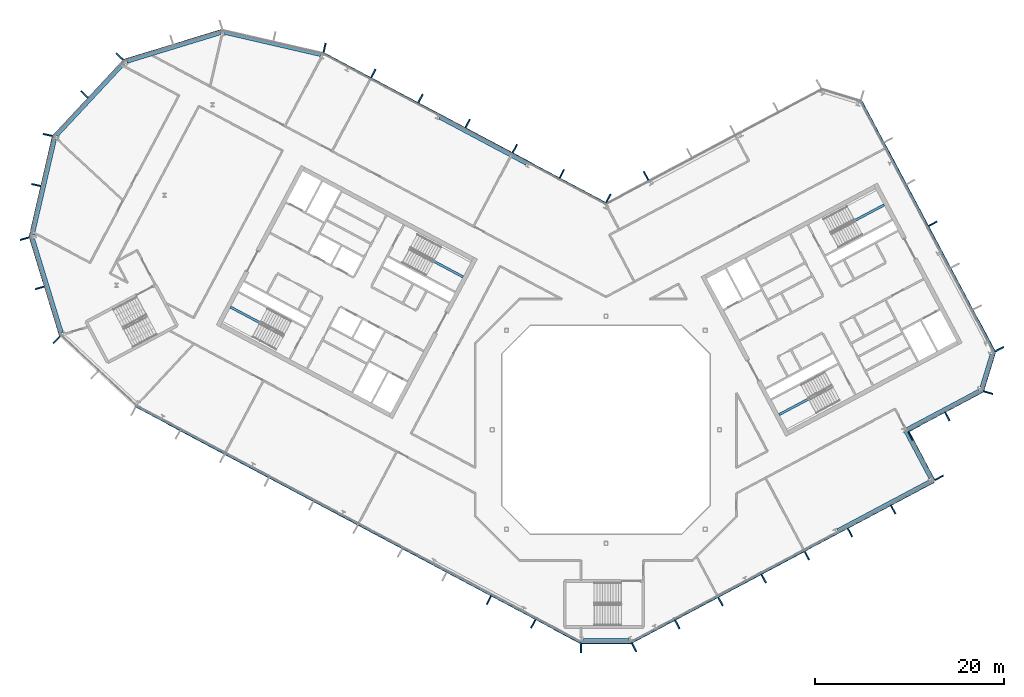
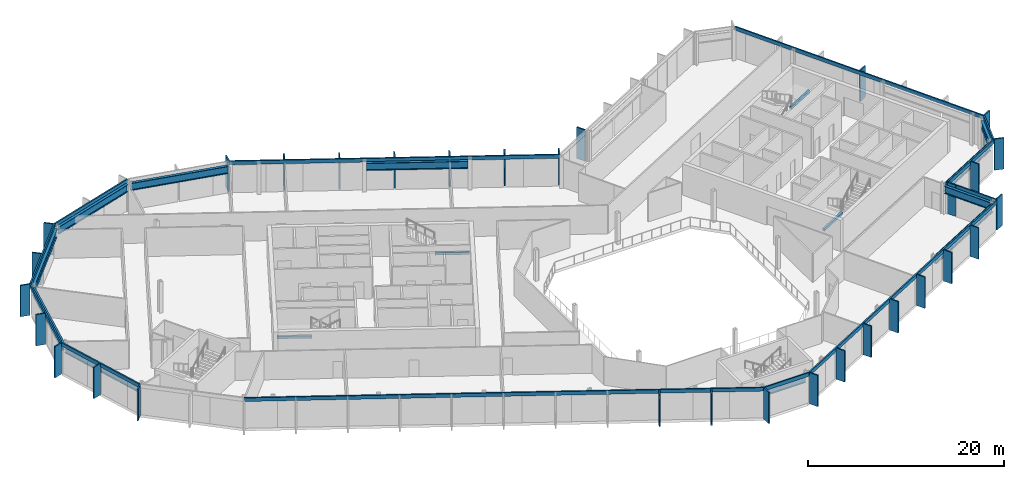
# One storey, part 9 of 25: 43 members, 15 beams, 15 elements without a shape of their own.
"""IFC4 building model written with IfcOpenShell, lengths in metres."""

from ifc_helpers import new_model, si_unit, direction, frame, origin, origin_2d, place, context, subcontext, project, spatial, rectangle, i_section, extrude, material, layer, layer_set, material_profile, profile_set, type_object, element, aggregate, save


model = new_model("IFC4")

# Units and contexts
model_context = context("Model", 3, precision=1e-05, world=origin(), true_north=direction((0.0, 1.0)))
body_context = subcontext(model_context, "Body", "Model", "MODEL_VIEW")
ifc_project = project(units=[si_unit("LENGTHUNIT", "METRE"), si_unit("AREAUNIT", "SQUARE_METRE"), si_unit("VOLUMEUNIT", "CUBIC_METRE"), si_unit("PLANEANGLEUNIT", "RADIAN"), si_unit("MASSUNIT", "GRAM", prefix="KILO")], contexts=[model_context])

# Site, building, storey
site_placement = place(None, origin())
site = spatial("IfcSite", under=ifc_project, at=site_placement, CompositionType="ELEMENT")
building_placement = place(site_placement, origin())
building = spatial("IfcBuilding", under=site, at=building_placement, Name="Cormorant Relay Tower", CompositionType="ELEMENT")
storey_placement = place(building_placement, frame((0.0, 0.0, 297.0)))
storey = spatial("IfcBuildingStorey", under=building, at=storey_placement, Name="L67", CompositionType="ELEMENT", Elevation=297.0)

# Curtain wall, member
ifc_material_1 = material(Name="Aluminium 6063-T6 anodised bronze", Category="aluminium")
ifc_layer = layer(ifc_material_1, 0.199951171875)
ifc_layer_set = layer_set([ifc_layer], Name="CW1 unitised bronze curtain wall with vertical fins")
curtain_wall_type = type_object("IfcCurtainWallType", Name="CW1 unitised bronze curtain wall with vertical fins", PredefinedType="NOTDEFINED", material=ifc_layer_set)
curtain_wall_1_placement = place(storey_placement, origin())
curtain_wall_1 = element("IfcCurtainWall", 1, at=curtain_wall_1_placement, inside=storey, type_object=curtain_wall_type, Name="CW1 curtain wall 1", PredefinedType="NOTDEFINED")
ifc_material_2 = material(Name="Aluminium 6063-T6 anodised bronze", Category="aluminium")
ifc_material_profile_1 = material_profile(ifc_material_2, rectangle(XDim=0.14990234375, YDim=1.0, at=origin_2d()), Name="AL 150x1000")
ifc_profile_set_1 = profile_set([ifc_material_profile_1], Name="Aluminium 6063-T6 anodised bronze")
member_type_1 = type_object("IfcMemberType", Name="CW1 bronze fin mullion 150 x 1000", PredefinedType="MULLION", material=ifc_profile_set_1)
member_1_placement = place(storey_placement, frame((-2.648681640625, -23.07568359375, 0.0), z_axis=(0.0, 0.0, 1.0), x_axis=(1.0, 0.0, 0.0)))
member_1 = element("IfcMember", 2, at=member_1_placement, type_object=member_type_1, Name="CW1 fin 1.1", PredefinedType="MULLION", context=body_context, shape_type="SweptSolid", body=[
    extrude(rectangle(XDim=0.14990234375, YDim=1.0, at=origin_2d()), origin(), (0.0, 0.0, 1.0), 3.89990234375),
])

# Curtain wall, members
curtain_wall_2_placement = place(storey_placement, origin())
curtain_wall_2 = element("IfcCurtainWall", 3, at=curtain_wall_2_placement, inside=storey, type_object=curtain_wall_type, Name="CW1 curtain wall 2", PredefinedType="NOTDEFINED")
member_2_placement = place(storey_placement, frame((2.9775390625, -22.99365234375, 0.0), z_axis=(0.0, 0.0, 1.0), x_axis=(0.882947592859, 0.469471562786, 0.0)))
member_2 = element("IfcMember", 4, at=member_2_placement, type_object=member_type_1, Name="CW1 fin 2.1", PredefinedType="MULLION", context=body_context, shape_type="SweptSolid", body=[
    extrude(rectangle(XDim=0.14990234375, YDim=1.0, at=origin_2d()), origin(), (0.0, 0.0, 1.0), 3.89990234375),
])
member_3_placement = place(storey_placement, frame((7.539306640625, -20.568115234375, 0.0), z_axis=(0.0, 0.0, 1.0), x_axis=(0.882947592859, 0.469471562786, 0.0)))
member_3 = element("IfcMember", 5, at=member_3_placement, type_object=member_type_1, Name="CW1 fin 2.2", PredefinedType="MULLION", context=body_context, shape_type="SweptSolid", body=[
    extrude(rectangle(XDim=0.14990234375, YDim=1.0, at=origin_2d()), origin(), (0.0, 0.0, 1.0), 3.89990234375),
])
member_4_placement = place(storey_placement, frame((12.10107421875, -18.142578125, 0.0), z_axis=(0.0, 0.0, 1.0), x_axis=(0.882947592859, 0.469471562786, 0.0)))
member_4 = element("IfcMember", 6, at=member_4_placement, type_object=member_type_1, Name="CW1 fin 2.3", PredefinedType="MULLION", context=body_context, shape_type="SweptSolid", body=[
    extrude(rectangle(XDim=0.14990234375, YDim=1.0, at=origin_2d()), origin(), (0.0, 0.0, 1.0), 3.89990234375),
])
member_5_placement = place(storey_placement, frame((16.662841796875, -15.717041015625, 0.0), z_axis=(0.0, 0.0, 1.0), x_axis=(0.882947592859, 0.469471562786, 0.0)))
member_5 = element("IfcMember", 7, at=member_5_placement, type_object=member_type_1, Name="CW1 fin 2.4", PredefinedType="MULLION", context=body_context, shape_type="SweptSolid", body=[
    extrude(rectangle(XDim=0.14990234375, YDim=1.0, at=origin_2d()), origin(), (0.0, 0.0, 1.0), 3.89990234375),
])
member_6_placement = place(storey_placement, frame((21.224609375, -13.29150390625, 0.0), z_axis=(0.0, 0.0, 1.0), x_axis=(0.882947592859, 0.469471562786, 0.0)))
member_6 = element("IfcMember", 8, at=member_6_placement, type_object=member_type_1, Name="CW1 fin 2.5", PredefinedType="MULLION", context=body_context, shape_type="SweptSolid", body=[
    extrude(rectangle(XDim=0.14990234375, YDim=1.0, at=origin_2d()), origin(), (0.0, 0.0, 1.0), 3.89990234375),
])
member_7_placement = place(storey_placement, frame((25.78662109375, -10.865966796875, 0.0), z_axis=(0.0, 0.0, 1.0), x_axis=(0.882947592859, 0.469471562786, 0.0)))
member_7 = element("IfcMember", 9, at=member_7_placement, type_object=member_type_1, Name="CW1 fin 2.6", PredefinedType="MULLION", context=body_context, shape_type="SweptSolid", body=[
    extrude(rectangle(XDim=0.14990234375, YDim=1.0, at=origin_2d()), origin(), (0.0, 0.0, 1.0), 3.89990234375),
])
member_8_placement = place(storey_placement, frame((30.348388671875, -8.440185546875, 0.0), z_axis=(0.0, 0.0, 1.0), x_axis=(0.882947592859, 0.469471562786, 0.0)))
member_8 = element("IfcMember", 10, at=member_8_placement, type_object=member_type_1, Name="CW1 fin 2.7", PredefinedType="MULLION", context=body_context, shape_type="SweptSolid", body=[
    extrude(rectangle(XDim=0.14990234375, YDim=1.0, at=origin_2d()), origin(), (0.0, 0.0, 1.0), 3.89990234375),
])

# Curtain wall, member
curtain_wall_3_placement = place(storey_placement, origin())
curtain_wall_3 = element("IfcCurtainWall", 11, at=curtain_wall_3_placement, inside=storey, type_object=curtain_wall_type, Name="CW1 curtain wall 3", PredefinedType="NOTDEFINED")
member_9_placement = place(storey_placement, frame((35.199462890625, -5.068115234375, 0.0), z_axis=(0.0, 0.0, 1.0), x_axis=(-0.469471562786, 0.882947592859, 0.0)))
member_9 = element("IfcMember", 12, at=member_9_placement, type_object=member_type_1, Name="CW1 fin 3.1", PredefinedType="MULLION", context=body_context, shape_type="SweptSolid", body=[
    extrude(rectangle(XDim=0.14990234375, YDim=1.0, at=origin_2d()), origin(), (0.0, 0.0, 1.0), 3.89990234375),
])

# Curtain wall, members
curtain_wall_4_placement = place(storey_placement, origin())
curtain_wall_4 = element("IfcCurtainWall", 13, at=curtain_wall_4_placement, inside=storey, type_object=curtain_wall_type, Name="CW1 curtain wall 4", PredefinedType="NOTDEFINED")
member_10_placement = place(storey_placement, frame((32.159423828125, -0.681884765625, 0.0), z_axis=(0.0, 0.0, 1.0), x_axis=(0.882947592859, 0.469471562786, 0.0)))
member_10 = element("IfcMember", 14, at=member_10_placement, type_object=member_type_1, Name="CW1 fin 4.1", PredefinedType="MULLION", context=body_context, shape_type="SweptSolid", body=[
    extrude(rectangle(XDim=0.14990234375, YDim=1.0, at=origin_2d()), origin(), (0.0, 0.0, 1.0), 3.89990234375),
])
member_11_placement = place(storey_placement, frame((36.06640625, 1.3955078125, 0.0), z_axis=(0.0, 0.0, 1.0), x_axis=(0.882947592859, 0.469471562786, 0.0)))
member_11 = element("IfcMember", 15, at=member_11_placement, type_object=member_type_1, Name="CW1 fin 4.2", PredefinedType="MULLION", context=body_context, shape_type="SweptSolid", body=[
    extrude(rectangle(XDim=0.14990234375, YDim=1.0, at=origin_2d()), origin(), (0.0, 0.0, 1.0), 3.89990234375),
])

# Curtain wall, member
curtain_wall_5_placement = place(storey_placement, origin())
curtain_wall_5 = element("IfcCurtainWall", 16, at=curtain_wall_5_placement, inside=storey, type_object=curtain_wall_type, Name="CW1 curtain wall 5", PredefinedType="NOTDEFINED")
member_12_placement = place(storey_placement, frame((40.380615234375, 3.921630859375, 0.0), z_axis=(0.0, 0.0, 1.0), x_axis=(0.292371704723, 0.956304755963, 0.0)))
member_12 = element("IfcMember", 17, at=member_12_placement, type_object=member_type_1, Name="CW1 fin 5.1", PredefinedType="MULLION", context=body_context, shape_type="SweptSolid", body=[
    extrude(rectangle(XDim=0.14990234375, YDim=1.0, at=origin_2d()), origin(), (0.0, 0.0, 1.0), 3.89990234375),
])

# Curtain wall, members
curtain_wall_6_placement = place(storey_placement, origin())
curtain_wall_6 = element("IfcCurtainWall", 18, at=curtain_wall_6_placement, inside=storey, type_object=curtain_wall_type, Name="CW1 curtain wall 6", PredefinedType="NOTDEFINED")
member_13_placement = place(storey_placement, frame((41.569580078125, 8.51220703125, 0.0), z_axis=(0.0, 0.0, 1.0), x_axis=(-0.469471562786, 0.882947592859, 0.0)))
member_13 = element("IfcMember", 19, at=member_13_placement, type_object=member_type_1, Name="CW1 fin 6.1", PredefinedType="MULLION", context=body_context, shape_type="SweptSolid", body=[
    extrude(rectangle(XDim=0.14990234375, YDim=1.0, at=origin_2d()), origin(), (0.0, 0.0, 1.0), 3.89990234375),
])
member_14_placement = place(storey_placement, frame((34.527587890625, 21.75634765625, 0.0), z_axis=(0.0, 0.0, 1.0), x_axis=(-0.469471562786, 0.882947592859, 0.0)))
member_14 = element("IfcMember", 20, at=member_14_placement, type_object=member_type_1, Name="CW1 fin 6.4", PredefinedType="MULLION", context=body_context, shape_type="SweptSolid", body=[
    extrude(rectangle(XDim=0.14990234375, YDim=1.0, at=origin_2d()), origin(), (0.0, 0.0, 1.0), 3.89990234375),
])

# Curtain wall, member
curtain_wall_7_placement = place(storey_placement, origin())
curtain_wall_7 = element("IfcCurtainWall", 21, at=curtain_wall_7_placement, inside=storey, type_object=curtain_wall_type, Name="CW1 curtain wall 8", PredefinedType="NOTDEFINED")
member_15_placement = place(storey_placement, frame((4.2333984375, 26.82763671875, 0.0), z_axis=(0.0, 0.0, 1.0), x_axis=(-0.882947592859, -0.469471562786, 0.0)))
member_15 = element("IfcMember", 22, at=member_15_placement, type_object=member_type_1, Name="CW1 fin 8.5", PredefinedType="MULLION", context=body_context, shape_type="SweptSolid", body=[
    extrude(rectangle(XDim=0.14990234375, YDim=1.0, at=origin_2d()), origin(), (0.0, 0.0, 1.0), 3.89990234375),
])
aggregate(curtain_wall_7, [member_15])

# Curtain wall, members
curtain_wall_8_placement = place(storey_placement, origin())
curtain_wall_8 = element("IfcCurtainWall", 23, at=curtain_wall_8_placement, inside=storey, type_object=curtain_wall_type, Name="CW1 curtain wall 9", PredefinedType="NOTDEFINED")
member_16_placement = place(storey_placement, frame((0.262451171875, 24.437255859375, 0.0), z_axis=(0.0, 0.0, 1.0), x_axis=(-0.882947592859, 0.469471562786, 0.0)))
member_16 = element("IfcMember", 24, at=member_16_placement, type_object=member_type_1, Name="CW1 fin 9.1", PredefinedType="MULLION", context=body_context, shape_type="SweptSolid", body=[
    extrude(rectangle(XDim=0.14990234375, YDim=1.0, at=origin_2d()), origin(), (0.0, 0.0, 1.0), 3.89990234375),
])
member_17_placement = place(storey_placement, frame((-4.650390625, 27.04931640625, 0.0), z_axis=(0.0, 0.0, 1.0), x_axis=(-0.882947592859, 0.469471562786, 0.0)))
member_17 = element("IfcMember", 25, at=member_17_placement, type_object=member_type_1, Name="CW1 fin 9.2", PredefinedType="MULLION", context=body_context, shape_type="SweptSolid", body=[
    extrude(rectangle(XDim=0.14990234375, YDim=1.0, at=origin_2d()), origin(), (0.0, 0.0, 1.0), 3.89990234375),
])
member_18_placement = place(storey_placement, frame((-9.62939453125, 29.69677734375, 0.0), z_axis=(0.0, 0.0, 1.0), x_axis=(-0.882947592859, 0.469471562786, 0.0)))
member_18 = element("IfcMember", 26, at=member_18_placement, type_object=member_type_1, Name="CW1 fin 9.3", PredefinedType="MULLION", context=body_context, shape_type="SweptSolid", body=[
    extrude(rectangle(XDim=0.14990234375, YDim=1.0, at=origin_2d()), origin(), (0.0, 0.0, 1.0), 3.89990234375),
])
member_19_placement = place(storey_placement, frame((-14.608154296875, 32.343994140625, 0.0), z_axis=(0.0, 0.0, 1.0), x_axis=(-0.882947592859, 0.469471562786, 0.0)))
member_19 = element("IfcMember", 27, at=member_19_placement, type_object=member_type_1, Name="CW1 fin 9.4", PredefinedType="MULLION", context=body_context, shape_type="SweptSolid", body=[
    extrude(rectangle(XDim=0.14990234375, YDim=1.0, at=origin_2d()), origin(), (0.0, 0.0, 1.0), 3.89990234375),
])
member_20_placement = place(storey_placement, frame((-19.587158203125, 34.991455078125, 0.0), z_axis=(0.0, 0.0, 1.0), x_axis=(-0.882947592859, 0.469471562786, 0.0)))
member_20 = element("IfcMember", 28, at=member_20_placement, type_object=member_type_1, Name="CW1 fin 9.5", PredefinedType="MULLION", context=body_context, shape_type="SweptSolid", body=[
    extrude(rectangle(XDim=0.14990234375, YDim=1.0, at=origin_2d()), origin(), (0.0, 0.0, 1.0), 3.89990234375),
])
member_21_placement = place(storey_placement, frame((-24.566162109375, 37.638916015625, 0.0), z_axis=(0.0, 0.0, 1.0), x_axis=(-0.882947592859, 0.469471562786, 0.0)))
member_21 = element("IfcMember", 29, at=member_21_placement, type_object=member_type_1, Name="CW1 fin 9.6", PredefinedType="MULLION", context=body_context, shape_type="SweptSolid", body=[
    extrude(rectangle(XDim=0.14990234375, YDim=1.0, at=origin_2d()), origin(), (0.0, 0.0, 1.0), 3.89990234375),
])

# Curtain wall, member
curtain_wall_9_placement = place(storey_placement, origin())
curtain_wall_9 = element("IfcCurtainWall", 30, at=curtain_wall_9_placement, inside=storey, type_object=curtain_wall_type, Name="CW1 curtain wall 10", PredefinedType="NOTDEFINED")
member_22_placement = place(storey_placement, frame((-29.71630859375, 40.35009765625, 0.0), z_axis=(0.0, 0.0, 1.0), x_axis=(-0.974370064785, 0.224951054344, 0.0)))
member_22 = element("IfcMember", 31, at=member_22_placement, type_object=member_type_1, Name="CW1 fin 10.1", PredefinedType="MULLION", context=body_context, shape_type="SweptSolid", body=[
    extrude(rectangle(XDim=0.14990234375, YDim=1.0, at=origin_2d()), origin(), (0.0, 0.0, 1.0), 3.89990234375),
])
aggregate(curtain_wall_9, [member_22])

# Curtain wall, members
curtain_wall_10_placement = place(storey_placement, origin())
curtain_wall_10 = element("IfcCurtainWall", 32, at=curtain_wall_10_placement, inside=storey, type_object=curtain_wall_type, Name="CW1 curtain wall 12", PredefinedType="NOTDEFINED")
member_23_placement = place(storey_placement, frame((-51.372802734375, 39.41259765625, 0.0), z_axis=(0.0, 0.0, 1.0), x_axis=(-0.681998360062, -0.731353701619, 0.0)))
member_23 = element("IfcMember", 33, at=member_23_placement, type_object=member_type_1, Name="CW1 fin 12.1", PredefinedType="MULLION", context=body_context, shape_type="SweptSolid", body=[
    extrude(rectangle(XDim=0.14990234375, YDim=1.0, at=origin_2d()), origin(), (0.0, 0.0, 1.0), 3.89990234375),
])
member_24_placement = place(storey_placement, frame((-55.07958984375, 35.4375, 0.0), z_axis=(0.0, 0.0, 1.0), x_axis=(-0.681998360062, -0.731353701619, 0.0)))
member_24 = element("IfcMember", 34, at=member_24_placement, type_object=member_type_1, Name="CW1 fin 12.2", PredefinedType="MULLION", context=body_context, shape_type="SweptSolid", body=[
    extrude(rectangle(XDim=0.14990234375, YDim=1.0, at=origin_2d()), origin(), (0.0, 0.0, 1.0), 3.89990234375),
])

curtain_wall_11_placement = place(storey_placement, origin())
curtain_wall_11 = element("IfcCurtainWall", 35, at=curtain_wall_11_placement, inside=storey, type_object=curtain_wall_type, Name="CW1 curtain wall 13", PredefinedType="NOTDEFINED")
member_25_placement = place(storey_placement, frame((-58.95654296875, 31.142578125, 0.0), z_axis=(0.0, 0.0, 1.0), x_axis=(-0.224951054344, -0.974370064785, 0.0)))
member_25 = element("IfcMember", 36, at=member_25_placement, type_object=member_type_1, Name="CW1 fin 13.1", PredefinedType="MULLION", context=body_context, shape_type="SweptSolid", body=[
    extrude(rectangle(XDim=0.14990234375, YDim=1.0, at=origin_2d()), origin(), (0.0, 0.0, 1.0), 3.89990234375),
])
member_26_placement = place(storey_placement, frame((-60.17919921875, 25.8466796875, 0.0), z_axis=(0.0, 0.0, 1.0), x_axis=(-0.224951054344, -0.974370064785, 0.0)))
member_26 = element("IfcMember", 37, at=member_26_placement, type_object=member_type_1, Name="CW1 fin 13.2", PredefinedType="MULLION", context=body_context, shape_type="SweptSolid", body=[
    extrude(rectangle(XDim=0.14990234375, YDim=1.0, at=origin_2d()), origin(), (0.0, 0.0, 1.0), 3.89990234375),
])

curtain_wall_12_placement = place(storey_placement, origin())
curtain_wall_12 = element("IfcCurtainWall", 38, at=curtain_wall_12_placement, inside=storey, type_object=curtain_wall_type, Name="CW1 curtain wall 14", PredefinedType="NOTDEFINED")
member_27_placement = place(storey_placement, frame((-61.389404296875, 20.188720703125, 0.0), z_axis=(0.0, 0.0, 1.0), x_axis=(0.292371704723, -0.956304755963, 0.0)))
member_27 = element("IfcMember", 39, at=member_27_placement, type_object=member_type_1, Name="CW1 fin 14.1", PredefinedType="MULLION", context=body_context, shape_type="SweptSolid", body=[
    extrude(rectangle(XDim=0.14990234375, YDim=1.0, at=origin_2d()), origin(), (0.0, 0.0, 1.0), 3.89990234375),
])
member_28_placement = place(storey_placement, frame((-59.80029296875, 14.990966796875, 0.0), z_axis=(0.0, 0.0, 1.0), x_axis=(0.292371704723, -0.956304755963, 0.0)))
member_28 = element("IfcMember", 40, at=member_28_placement, type_object=member_type_1, Name="CW1 fin 14.2", PredefinedType="MULLION", context=body_context, shape_type="SweptSolid", body=[
    extrude(rectangle(XDim=0.14990234375, YDim=1.0, at=origin_2d()), origin(), (0.0, 0.0, 1.0), 3.89990234375),
])

# Curtain wall, member
curtain_wall_13_placement = place(storey_placement, origin())
curtain_wall_13 = element("IfcCurtainWall", 41, at=curtain_wall_13_placement, inside=storey, type_object=curtain_wall_type, Name="CW1 curtain wall 15", PredefinedType="NOTDEFINED")
member_29_placement = place(storey_placement, frame((-58.01904296875, 9.486083984375, 0.0), z_axis=(0.0, 0.0, 1.0), x_axis=(0.731353701619, -0.681998360062, 0.0)))
member_29 = element("IfcMember", 42, at=member_29_placement, type_object=member_type_1, Name="CW1 fin 15.1", PredefinedType="MULLION", context=body_context, shape_type="SweptSolid", body=[
    extrude(rectangle(XDim=0.14990234375, YDim=1.0, at=origin_2d()), origin(), (0.0, 0.0, 1.0), 3.89990234375),
])
aggregate(curtain_wall_13, [member_29])

# Curtain wall, members
curtain_wall_14_placement = place(storey_placement, origin())
curtain_wall_14 = element("IfcCurtainWall", 43, at=curtain_wall_14_placement, inside=storey, type_object=curtain_wall_type, Name="CW1 curtain wall 16", PredefinedType="NOTDEFINED")
member_30_placement = place(storey_placement, frame((-12.365966796875, -18.001708984375, 0.0), z_axis=(0.0, 0.0, 1.0), x_axis=(0.882947592859, -0.469471562786, 0.0)))
member_30 = element("IfcMember", 44, at=member_30_placement, type_object=member_type_1, Name="CW1 fin 16.9", PredefinedType="MULLION", context=body_context, shape_type="SweptSolid", body=[
    extrude(rectangle(XDim=0.14990234375, YDim=1.0, at=origin_2d()), origin(), (0.0, 0.0, 1.0), 3.89990234375),
])
member_31_placement = place(storey_placement, frame((-7.671630859375, -20.49755859375, 0.0), z_axis=(0.0, 0.0, 1.0), x_axis=(0.882947592859, -0.469471562786, 0.0)))
member_31 = element("IfcMember", 45, at=member_31_placement, type_object=member_type_1, Name="CW1 fin 16.10", PredefinedType="MULLION", context=body_context, shape_type="SweptSolid", body=[
    extrude(rectangle(XDim=0.14990234375, YDim=1.0, at=origin_2d()), origin(), (0.0, 0.0, 1.0), 3.89990234375),
])

# Member
ifc_material_3 = material(Name="Aluminium 6063-T6 anodised bronze", Category="aluminium")
ifc_material_profile_2 = material_profile(ifc_material_3, rectangle(XDim=0.159912109375, YDim=0.449951171875, at=origin_2d()), Name="AL 160x450")
ifc_profile_set_2 = profile_set([ifc_material_profile_2], Name="Aluminium 6063-T6 anodised bronze")
member_type_2 = type_object("IfcMemberType", Name="CW1 bronze transom 160 x 450", PredefinedType="USERDEFINED", material=ifc_profile_set_2)
member_32_placement = place(storey_placement, frame((-2.648681640625, -22.49560546875, 3.675048828125), z_axis=(1.0, 0.0, 0.0), x_axis=(0.0, 1.0, 0.0)))
member_32 = element("IfcMember", 46, at=member_32_placement, type_object=member_type_2, Name="CW1 transom 1", ObjectType="TRANSOM", PredefinedType="USERDEFINED", context=body_context, shape_type="SweptSolid", body=[
    extrude(rectangle(XDim=0.159912109375, YDim=0.449951171875, at=origin_2d()), origin(), (0.0, 0.0, 1.0), 5.29736328125),
])

aggregate(curtain_wall_1, [member_1, member_32])

member_33_placement = place(storey_placement, frame((2.705078125, -22.4814453125, 3.675048828125), z_axis=(0.882948899141, 0.469469106018, 0.0), x_axis=(-0.469469106018, 0.882948899141, 0.0)))
member_33 = element("IfcMember", 47, at=member_33_placement, type_object=member_type_2, Name="CW1 transom 2", ObjectType="TRANSOM", PredefinedType="USERDEFINED", context=body_context, shape_type="SweptSolid", body=[
    extrude(rectangle(XDim=0.159912109375, YDim=0.449951171875, at=origin_2d()), origin(), (0.0, 0.0, 1.0), 36.165771484375),
])

aggregate(curtain_wall_2, [member_2, member_3, member_4, member_5, member_6, member_7, member_8, member_33])

member_34_placement = place(storey_placement, frame((34.6875, -5.34033203125, 3.675048828125), z_axis=(-0.469485426614, 0.882940221191, 0.0), x_axis=(-0.882940221191, -0.469485426614, 0.0)))
member_34 = element("IfcMember", 48, at=member_34_placement, type_object=member_type_2, Name="CW1 transom 3", ObjectType="TRANSOM", PredefinedType="USERDEFINED", context=body_context, shape_type="SweptSolid", body=[
    extrude(rectangle(XDim=0.159912109375, YDim=0.449951171875, at=origin_2d()), origin(), (0.0, 0.0, 1.0), 6.0),
])

aggregate(curtain_wall_3, [member_9, member_34])

member_35_placement = place(storey_placement, frame((31.82080078125, -0.205078125, 3.675048828125), z_axis=(0.882949189538, 0.469468559857, 0.0), x_axis=(-0.469468559857, 0.882949189538, 0.0)))
member_35 = element("IfcMember", 49, at=member_35_placement, type_object=member_type_2, Name="CW1 transom 4", ObjectType="TRANSOM", PredefinedType="USERDEFINED", context=body_context, shape_type="SweptSolid", body=[
    extrude(rectangle(XDim=0.159912109375, YDim=0.449951171875, at=origin_2d()), origin(), (0.0, 0.0, 1.0), 9.000244140625),
])

aggregate(curtain_wall_4, [member_10, member_11, member_35])

member_36_placement = place(storey_placement, frame((39.825927734375, 4.091064453125, 3.675048828125), z_axis=(0.292374957137, 0.956303761594, 0.0), x_axis=(-0.956303761594, 0.292374957137, 0.0)))
member_36 = element("IfcMember", 50, at=member_36_placement, type_object=member_type_2, Name="CW1 transom 5", ObjectType="TRANSOM", PredefinedType="USERDEFINED", context=body_context, shape_type="SweptSolid", body=[
    extrude(rectangle(XDim=0.159912109375, YDim=0.449951171875, at=origin_2d()), origin(), (0.0, 0.0, 1.0), 4.24267578125),
])

aggregate(curtain_wall_5, [member_12, member_36])

member_37_placement = place(storey_placement, frame((41.0576171875, 8.23974609375, 3.675048828125), z_axis=(-0.469472335483, 0.882947182008, 0.0), x_axis=(-0.882947182008, -0.469472335483, 0.0)))
member_37 = element("IfcMember", 51, at=member_37_placement, type_object=member_type_2, Name="CW1 transom 6", ObjectType="TRANSOM", PredefinedType="USERDEFINED", context=body_context, shape_type="SweptSolid", body=[
    extrude(rectangle(XDim=0.159912109375, YDim=0.449951171875, at=origin_2d()), origin(), (0.0, 0.0, 1.0), 30.000244140625),
])

aggregate(curtain_wall_6, [member_13, member_14, member_37])

member_38_placement = place(storey_placement, frame((0.056396484375, 23.889892578125, 3.675048828125), z_axis=(-0.882946280328, 0.46947403129, 0.0), x_axis=(-0.46947403129, -0.882946280328, 0.0)))
member_38 = element("IfcMember", 52, at=member_38_placement, type_object=member_type_2, Name="CW1 transom 9", ObjectType="TRANSOM", PredefinedType="USERDEFINED", context=body_context, shape_type="SweptSolid", body=[
    extrude(rectangle(XDim=0.159912109375, YDim=0.449951171875, at=origin_2d()), origin(), (0.0, 0.0, 1.0), 33.834228515625),
])

aggregate(curtain_wall_8, [member_16, member_17, member_18, member_19, member_20, member_21, member_38])

# Curtain wall, member
curtain_wall_15_placement = place(storey_placement, origin())
curtain_wall_15 = element("IfcCurtainWall", 53, at=curtain_wall_15_placement, inside=storey, type_object=curtain_wall_type, Name="CW1 curtain wall 11", PredefinedType="NOTDEFINED")
member_39_placement = place(storey_placement, frame((-40.50048828125, 42.228271484375, 3.675048828125), z_axis=(-0.956304833932, -0.292371449698, 0.0), x_axis=(0.292371449698, -0.956304833932, 0.0)))
member_39 = element("IfcMember", 54, at=member_39_placement, type_object=member_type_2, Name="CW1 transom 11", ObjectType="TRANSOM", PredefinedType="USERDEFINED", context=body_context, shape_type="SweptSolid", body=[
    extrude(rectangle(XDim=0.159912109375, YDim=0.449951171875, at=origin_2d()), origin(), (0.0, 0.0, 1.0), 10.87060546875),
])
aggregate(curtain_wall_15, [member_39])

# Member
member_40_placement = place(storey_placement, frame((-50.94873046875, 39.01708984375, 3.675048828125), z_axis=(-0.681993299437, -0.731358420696, 0.0), x_axis=(0.731358420696, -0.681993299437, 0.0)))
member_40 = element("IfcMember", 55, at=member_40_placement, type_object=member_type_2, Name="CW1 transom 12", ObjectType="TRANSOM", PredefinedType="USERDEFINED", context=body_context, shape_type="SweptSolid", body=[
    extrude(rectangle(XDim=0.159912109375, YDim=0.449951171875, at=origin_2d()), origin(), (0.0, 0.0, 1.0), 10.870361328125),
])

aggregate(curtain_wall_10, [member_23, member_24, member_40])

member_41_placement = place(storey_placement, frame((-58.3916015625, 31.01220703125, 3.675048828125), z_axis=(-0.22495136131, -0.974369993916, 0.0), x_axis=(0.974369993916, -0.22495136131, 0.0)))
member_41 = element("IfcMember", 56, at=member_41_placement, type_object=member_type_2, Name="CW1 transom 13", ObjectType="TRANSOM", PredefinedType="USERDEFINED", context=body_context, shape_type="SweptSolid", body=[
    extrude(rectangle(XDim=0.159912109375, YDim=0.449951171875, at=origin_2d()), origin(), (0.0, 0.0, 1.0), 10.870361328125),
])

aggregate(curtain_wall_11, [member_25, member_26, member_41])

member_42_placement = place(storey_placement, frame((-60.834716796875, 20.358154296875, 3.675048828125), z_axis=(0.292377729282, -0.95630291405, 0.0), x_axis=(0.95630291405, 0.292377729282, 0.0)))
member_42 = element("IfcMember", 57, at=member_42_placement, type_object=member_type_2, Name="CW1 transom 14", ObjectType="TRANSOM", PredefinedType="USERDEFINED", context=body_context, shape_type="SweptSolid", body=[
    extrude(rectangle(XDim=0.159912109375, YDim=0.449951171875, at=origin_2d()), origin(), (0.0, 0.0, 1.0), 10.870361328125),
])

aggregate(curtain_wall_12, [member_27, member_28, member_42])

member_43_placement = place(storey_placement, frame((-49.64794921875, 2.478515625, 3.675048828125), z_axis=(0.882947642542, -0.469471469346, 0.0), x_axis=(0.469471469346, 0.882947642542, 0.0)))
member_43 = element("IfcMember", 58, at=member_43_placement, type_object=member_type_2, Name="CW1 transom 16", ObjectType="TRANSOM", PredefinedType="USERDEFINED", context=body_context, shape_type="SweptSolid", body=[
    extrude(rectangle(XDim=0.159912109375, YDim=0.449951171875, at=origin_2d()), origin(), (0.0, 0.0, 1.0), 53.166015625),
])

aggregate(curtain_wall_14, [member_30, member_31, member_43])

# Beams
ifc_material_4 = material(Name="Steel ASTM A992 (Fy 345 MPa)", Category="steel")
ifc_material_profile_3 = material_profile(ifc_material_4, i_section(OverallWidth=0.307373046875, OverallDepth=0.927001953125, WebThickness=0.019287109375, FlangeThickness=0.031982421875, FilletRadius=0.01904296875, at=origin_2d()), Name="W920x289")
ifc_profile_set_3 = profile_set([ifc_material_profile_3], Name="Steel ASTM A992 (Fy 345 MPa)")
beam_type_1 = type_object("IfcBeamType", Name="Spandrel W920x289", PredefinedType="SPANDREL", material=ifc_profile_set_3)
beam_1_placement = place(storey_placement, frame((-2.377197265625, -22.221923828125, 3.076416015625), z_axis=(1.0, 0.0, 0.0), x_axis=(0.0, 1.0, 0.0)))
element("IfcBeam", 59, at=beam_1_placement, inside=storey, type_object=beam_type_1, Name="Spandrel beam L67-001", PredefinedType="SPANDREL", context=body_context, shape_type="SweptSolid", body=[
    extrude(i_section(OverallWidth=0.307373046875, OverallDepth=0.927001953125, WebThickness=0.019287109375, FlangeThickness=0.031982421875, FilletRadius=0.01904296875, at=origin_2d()), origin(), (0.0, 0.0, 1.0), 4.79541015625),
])
beam_2_placement = place(storey_placement, frame((24.44287109375, -10.61328125, 3.076416015625), z_axis=(0.882957797597, 0.469452369961, 0.0), x_axis=(-0.469452369961, 0.882957797597, 0.0)))
element("IfcBeam", 60, at=beam_2_placement, inside=storey, type_object=beam_type_1, Name="Spandrel beam L67-002", PredefinedType="SPANDREL", context=body_context, shape_type="SweptSolid", body=[
    extrude(i_section(OverallWidth=0.307373046875, OverallDepth=0.927001953125, WebThickness=0.019287109375, FlangeThickness=0.031982421875, FilletRadius=0.01904296875, at=origin_2d()), origin(), (0.0, 0.0, 1.0), 10.992431640625),
])
beam_3_placement = place(storey_placement, frame((34.254638671875, -5.109619140625, 3.076416015625), z_axis=(-0.469457325339, 0.882955162897, 0.0), x_axis=(-0.882955162897, -0.469457325339, 0.0)))
element("IfcBeam", 61, at=beam_3_placement, inside=storey, type_object=beam_type_1, Name="Spandrel beam L67-003", PredefinedType="SPANDREL", context=body_context, shape_type="SweptSolid", body=[
    extrude(i_section(OverallWidth=0.307373046875, OverallDepth=0.927001953125, WebThickness=0.019287109375, FlangeThickness=0.031982421875, FilletRadius=0.01904296875, at=origin_2d()), origin(), (0.0, 0.0, 1.0), 5.593017578125),
])
beam_4_placement = place(storey_placement, frame((31.6923828125, 0.03662109375, 3.076416015625), z_axis=(0.882943393008, 0.469479461472, 0.0), x_axis=(-0.469479461472, 0.882943393008, 0.0)))
element("IfcBeam", 62, at=beam_4_placement, inside=storey, type_object=beam_type_1, Name="Spandrel beam L67-004", PredefinedType="SPANDREL", context=body_context, shape_type="SweptSolid", body=[
    extrude(i_section(OverallWidth=0.307373046875, OverallDepth=0.927001953125, WebThickness=0.019287109375, FlangeThickness=0.031982421875, FilletRadius=0.01904296875, at=origin_2d()), origin(), (0.0, 0.0, 1.0), 8.734375),
])
beam_5_placement = place(storey_placement, frame((39.6591796875, 4.4814453125, 3.076416015625), z_axis=(0.292323829151, 0.956319391684, 0.0), x_axis=(-0.956319391684, 0.292323829151, 0.0)))
element("IfcBeam", 63, at=beam_5_placement, inside=storey, type_object=beam_type_1, Name="Spandrel beam L67-005", PredefinedType="SPANDREL", context=body_context, shape_type="SweptSolid", body=[
    extrude(i_section(OverallWidth=0.307373046875, OverallDepth=0.927001953125, WebThickness=0.019287109375, FlangeThickness=0.031982421875, FilletRadius=0.01904296875, at=origin_2d()), origin(), (0.0, 0.0, 1.0), 3.652099609375),
])
beam_6_placement = place(storey_placement, frame((-8.401611328125, 28.0771484375, 3.076416015625), z_axis=(-0.882945471565, 0.469475552338, 0.0), x_axis=(-0.469475552338, -0.882945471565, 0.0)))
element("IfcBeam", 64, at=beam_6_placement, inside=storey, type_object=beam_type_1, Name="Spandrel beam L67-009", PredefinedType="SPANDREL", context=body_context, shape_type="SweptSolid", body=[
    extrude(i_section(OverallWidth=0.307373046875, OverallDepth=0.927001953125, WebThickness=0.019287109375, FlangeThickness=0.031982421875, FilletRadius=0.01904296875, at=origin_2d()), origin(), (0.0, 0.0, 1.0), 10.401123046875),
])
beam_7_placement = place(storey_placement, frame((-30.138427734375, 39.571533203125, 3.076416015625), z_axis=(-0.97437021882, 0.224950387145, 0.0), x_axis=(-0.224950387145, -0.97437021882, 0.0)))
element("IfcBeam", 65, at=beam_7_placement, inside=storey, type_object=beam_type_1, Name="Spandrel beam L67-010", PredefinedType="SPANDREL", context=body_context, shape_type="SweptSolid", body=[
    extrude(i_section(OverallWidth=0.307373046875, OverallDepth=0.927001953125, WebThickness=0.019287109375, FlangeThickness=0.031982421875, FilletRadius=0.01904296875, at=origin_2d()), origin(), (0.0, 0.0, 1.0), 10.3984375),
])
beam_8_placement = place(storey_placement, frame((-40.68505859375, 41.8857421875, 3.076416015625), z_axis=(-0.956304903575, -0.292371221906, 0.0), x_axis=(0.292371221906, -0.956304903575, 0.0)))
element("IfcBeam", 66, at=beam_8_placement, inside=storey, type_object=beam_type_1, Name="Spandrel beam L67-011", PredefinedType="SPANDREL", context=body_context, shape_type="SweptSolid", body=[
    extrude(i_section(OverallWidth=0.307373046875, OverallDepth=0.927001953125, WebThickness=0.019287109375, FlangeThickness=0.031982421875, FilletRadius=0.01904296875, at=origin_2d()), origin(), (0.0, 0.0, 1.0), 10.358642578125),
])
beam_9_placement = place(storey_placement, frame((-50.9375, 38.627685546875, 3.076416015625), z_axis=(-0.682009982741, -0.731342863124, 0.0), x_axis=(0.731342863124, -0.682009982741, 0.0)))
element("IfcBeam", 67, at=beam_9_placement, inside=storey, type_object=beam_type_1, Name="Spandrel beam L67-012", PredefinedType="SPANDREL", context=body_context, shape_type="SweptSolid", body=[
    extrude(i_section(OverallWidth=0.307373046875, OverallDepth=0.927001953125, WebThickness=0.019287109375, FlangeThickness=0.031982421875, FilletRadius=0.01904296875, at=origin_2d()), origin(), (0.0, 0.0, 1.0), 10.35791015625),
])
beam_10_placement = place(storey_placement, frame((-58.18701171875, 30.680908203125, 3.076416015625), z_axis=(-0.224955895786, -0.974368947038, 0.0), x_axis=(0.974368947038, -0.224955895786, 0.0)))
element("IfcBeam", 68, at=beam_10_placement, inside=storey, type_object=beam_type_1, Name="Spandrel beam L67-013", PredefinedType="SPANDREL", context=body_context, shape_type="SweptSolid", body=[
    extrude(i_section(OverallWidth=0.307373046875, OverallDepth=0.927001953125, WebThickness=0.019287109375, FlangeThickness=0.031982421875, FilletRadius=0.01904296875, at=origin_2d()), origin(), (0.0, 0.0, 1.0), 10.359130859375),
])
beam_11_placement = place(storey_placement, frame((-60.49169921875, 20.1728515625, 3.076416015625), z_axis=(0.292367651593, -0.95630599512, 0.0), x_axis=(0.95630599512, 0.292367651593, 0.0)))
element("IfcBeam", 69, at=beam_11_placement, inside=storey, type_object=beam_type_1, Name="Spandrel beam L67-014", PredefinedType="SPANDREL", context=body_context, shape_type="SweptSolid", body=[
    extrude(i_section(OverallWidth=0.307373046875, OverallDepth=0.927001953125, WebThickness=0.019287109375, FlangeThickness=0.031982421875, FilletRadius=0.01904296875, at=origin_2d()), origin(), (0.0, 0.0, 1.0), 10.357177734375),
])
ifc_material_5 = material(Name="Concrete 50 MPa", Category="concrete")
ifc_material_profile_4 = material_profile(ifc_material_5, rectangle(XDim=0.25, YDim=0.300048828125, at=origin_2d()), Name="RC 250x300")
ifc_profile_set_4 = profile_set([ifc_material_profile_4], Name="Concrete 50 MPa")
beam_type_2 = type_object("IfcBeamType", Name="Stair landing ledge beam 250x300", PredefinedType="BEAM", material=ifc_profile_set_4)
beam_12_placement = place(storey_placement, frame((-18.219482421875, 17.813720703125, 1.60009765625), z_axis=(0.882950035608, -0.469466968614, 0.0), x_axis=(0.469466968614, 0.882950035608, 0.0)))
element("IfcBeam", 70, at=beam_12_placement, inside=storey, type_object=beam_type_2, Name="A1 landing ledge beam", PredefinedType="BEAM", context=body_context, shape_type="SweptSolid", body=[
    extrude(rectangle(XDim=0.25, YDim=0.300048828125, at=origin_2d()), origin(), (0.0, 0.0, 1.0), 3.5498046875),
])
for number, where, z_axis, x_axis, name in (
    (71, (-36.523193359375, 11.29345703125, 1.60009765625), (-0.88293668587, 0.469492075273, 0.0), (-0.469492075273, -0.88293668587, 0.0), "A2 landing ledge beam"),
    (72, (21.4248046875, 3.265380859375, 1.60009765625), (-0.88296519247, -0.469438461235, 0.0), (0.469438461235, -0.88296519247, 0.0), "B1 landing ledge beam"),
    (73, (26.25439453125, 22.0859375, 1.60009765625), (0.88296519247, 0.469438461235, 0.0), (-0.469438461235, 0.88296519247, 0.0), "B2 landing ledge beam"),
):
    element("IfcBeam", number, at=place(storey_placement, frame(where, z_axis=z_axis, x_axis=x_axis)), inside=storey, type_object=beam_type_2, Name=name, PredefinedType="BEAM", context=body_context, shape_type="SweptSolid", body=[
        extrude(rectangle(XDim=0.25, YDim=0.300048828125, at=origin_2d()), origin(), (0.0, 0.0, 1.0), 3.550048828125),
    ])

save(model, "model.ifc")
